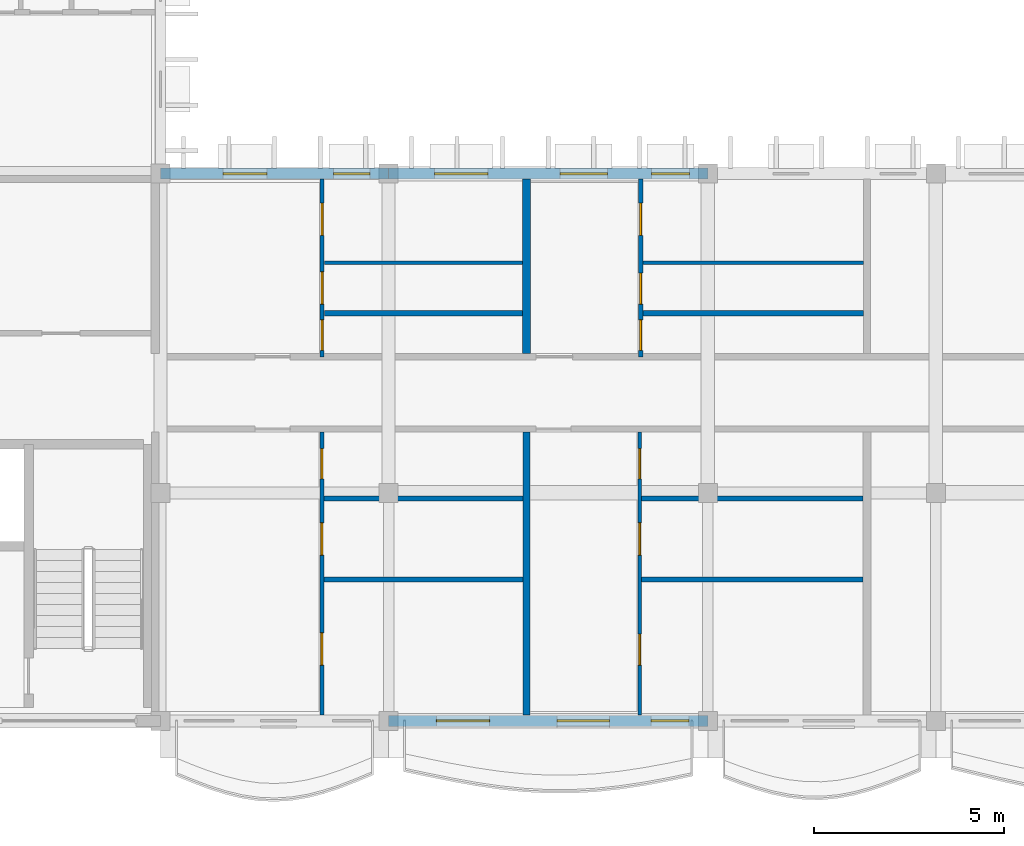
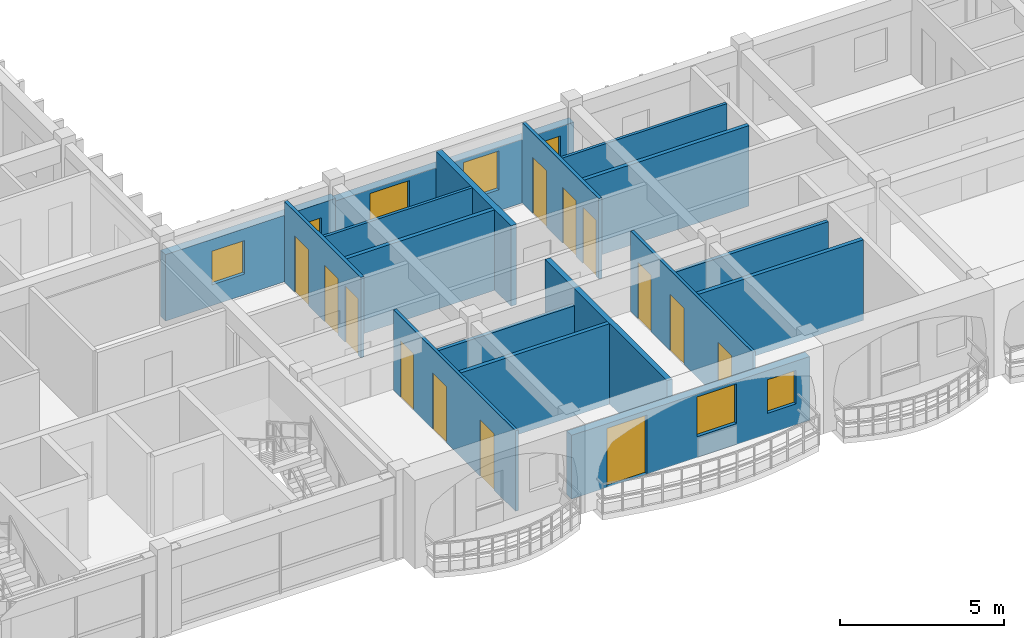
# One storey, part 14 of 66: 17 walls, 13 doors, 7 windows, 20 openings.
"""IFC4 building model written with IfcOpenShell, lengths in metres."""

from ifc_helpers import new_model, si_unit, direction, frame, frame_2d, origin, place, context, subcontext, project, spatial, rectangle, extrude, material, layer, layer_set, type_object, element, fill, save


model = new_model("IFC4")

# Units and contexts
model_context = context("Model", 3, precision=1e-05, world=origin(), true_north=direction((0.0, 1.0)))
body_context = subcontext(model_context, "Body", "Model", "MODEL_VIEW")
ifc_project = project(units=[si_unit("LENGTHUNIT", "METRE"), si_unit("AREAUNIT", "SQUARE_METRE"), si_unit("VOLUMEUNIT", "CUBIC_METRE"), si_unit("PLANEANGLEUNIT", "RADIAN"), si_unit("MASSUNIT", "GRAM", prefix="KILO"), si_unit("THERMODYNAMICTEMPERATUREUNIT", "KELVIN")], contexts=[model_context])

# Site, building, storey
site_placement = place(None, origin())
site = spatial("IfcSite", under=ifc_project, at=site_placement, CompositionType="ELEMENT")
building_placement = place(site_placement, origin())
building = spatial("IfcBuilding", under=site, at=building_placement, Name="Thalorik Housing Commons", CompositionType="ELEMENT")
storey_placement = place(building_placement, frame((0.0, 0.0, 21.300048828125)))
storey = spatial("IfcBuildingStorey", under=building, at=storey_placement, Name="L06", CompositionType="ELEMENT", Elevation=21.300048828125)

# Wall, openings, door, windows
ifc_material_1 = material(Name="White precast concrete C40/50", Category="concrete")
ifc_layer_1 = layer(ifc_material_1, 0.2900390625, Name="White precast concrete C40/50", Category="concrete")
ifc_layer_set_1 = layer_set([ifc_layer_1], Name="White precast concrete C40/50")
wall_type_1 = type_object("IfcWallType", Name="ARC-WAL-EXT-290", PredefinedType="STANDARD", material=ifc_layer_set_1)
wall_1_placement = place(storey_placement, frame((28.800048828125, 8.39990234375, 0.0), z_axis=(0.0, 0.0, 1.0), x_axis=(1.0, 0.0, 0.0)))
wall_1 = element("IfcWall", 1, at=wall_1_placement, inside=storey, type_object=wall_type_1, Name="L06 Exterior Wall WAL-EXT-L06-C-1006", PredefinedType="STANDARD", context=body_context, shape_type="SweptSolid", body=[
    extrude(rectangle(XDim=8.39990234375, YDim=0.2900390625, at=frame_2d((4.199951171875, 0.0))), origin(), (0.0, 0.0, 1.0), 2.375),
])
opening_1_placement = place(wall_1_placement, frame((1.260009765625, 0.0, 0.0)))
opening_1 = element("IfcOpeningElement", 2, at=opening_1_placement, cuts=wall_1, Name="Opening ED-0334", PredefinedType="OPENING", context=body_context, shape_type="SweptSolid", body=[
    extrude(rectangle(XDim=1.39990234375, YDim=2.199951171875, at=frame_2d((0.699951171875, 1.10009765625))), frame((0.0, 0.155029296875, 0.0), z_axis=(0.0, -1.0, 0.0), x_axis=(1.0, 0.0, 0.0)), (0.0, 0.0, 1.0), 0.31005859375),
])
opening_2_placement = place(wall_1_placement, frame((4.429931640625, 0.0, 0.780029296875)))
opening_2 = element("IfcOpeningElement", 3, at=opening_2_placement, cuts=wall_1, Name="Opening W-49", PredefinedType="OPENING", context=body_context, shape_type="SweptSolid", body=[
    extrude(rectangle(XDim=1.3798828125, YDim=1.47998046875, at=frame_2d((0.68994140625, 0.739990234375))), frame((0.0, 0.155029296875, 0.0), z_axis=(0.0, -1.0, 0.0), x_axis=(1.0, 0.0, 0.0)), (0.0, 0.0, 1.0), 0.31005859375),
])
opening_3_placement = place(wall_1_placement, frame((6.909912109375, 0.0, 0.780029296875)))
opening_3 = element("IfcOpeningElement", 4, at=opening_3_placement, cuts=wall_1, Name="Opening W-02", PredefinedType="OPENING", context=body_context, shape_type="SweptSolid", body=[
    extrude(rectangle(XDim=1.0, YDim=1.25, at=frame_2d((0.5, 0.625))), frame((0.0, 0.155029296875, 0.0), z_axis=(0.0, -1.0, 0.0), x_axis=(1.0, 0.0, 0.0)), (0.0, 0.0, 1.0), 0.31005859375),
])
ifc_material_2 = material(Name="Anodised aluminium and laminated safety glass", Category="aluminium")
door_type_1 = type_object("IfcDoorType", Name="ARC-DR-BAL-1400", OperationType="NOTDEFINED", PredefinedType="DOOR", material=ifc_material_2)
door_1_placement = place(opening_1_placement, frame((1.39990234375, 0.0, 0.0), z_axis=(0.0, 0.0, 1.0), x_axis=(-1.0, 0.0, 0.0)))
door_1 = element("IfcDoor", 5, at=door_1_placement, inside=storey, type_object=door_type_1, Name="L06 Block C Balcony Glazed Door", OperationType="SLIDING_TO_LEFT", OverallHeight=2.199951171875, OverallWidth=1.39990234375, PredefinedType="DOOR", context=body_context, shape_type="SweptSolid", body=[
    extrude(rectangle(XDim=1.39990234375, YDim=2.199951171875, at=frame_2d((0.699951171875, 1.10009765625))), frame((0.0, 0.02490234375, 0.0), z_axis=(0.0, -1.0, 0.0), x_axis=(1.0, 0.0, 0.0)), (0.0, 0.0, 1.0), 0.050048828125),
])
fill(opening_1, door_1)
ifc_material_3 = material(Name="Anodised aluminium and solar-control low-E glass", Category="aluminium")
window_type_1 = type_object("IfcWindowType", Name="ARC-WIN-02", PartitioningType="SINGLE_PANEL", PredefinedType="WINDOW", material=ifc_material_3)
window_1_placement = place(opening_3_placement, origin())
window_1 = element("IfcWindow", 6, at=window_1_placement, inside=storey, type_object=window_type_1, Name="L06 Facade Window 1858", OverallHeight=1.25, OverallWidth=1.0, PartitioningType="SINGLE_PANEL", PredefinedType="WINDOW", context=body_context, shape_type="SweptSolid", body=[
    extrude(rectangle(XDim=1.0, YDim=1.25, at=frame_2d((0.5, 0.625))), frame((0.0, 0.030029296875, 0.0), z_axis=(0.0, -1.0, 0.0), x_axis=(1.0, 0.0, 0.0)), (0.0, 0.0, 1.0), 0.06005859375),
])
fill(opening_3, window_1)
window_type_2 = type_object("IfcWindowType", Name="ARC-WIN-49", PartitioningType="SINGLE_PANEL", PredefinedType="WINDOW", material=ifc_material_3)
window_2_placement = place(opening_2_placement, origin())
window_2 = element("IfcWindow", 7, at=window_2_placement, inside=storey, type_object=window_type_2, Name="L06 Facade Window 1857", OverallHeight=1.47998046875, OverallWidth=1.3798828125, PartitioningType="SINGLE_PANEL", PredefinedType="WINDOW", context=body_context, shape_type="SweptSolid", body=[
    extrude(rectangle(XDim=1.3798828125, YDim=1.47998046875, at=frame_2d((0.68994140625, 0.739990234375))), frame((0.0, 0.030029296875, 0.0), z_axis=(0.0, -1.0, 0.0), x_axis=(1.0, 0.0, 0.0)), (0.0, 0.0, 1.0), 0.06005859375),
])
fill(opening_2, window_2)

# Wall, openings, windows
wall_2_placement = place(storey_placement, frame((37.199951171875, 22.800048828125, 0.0), z_axis=(0.0, 0.0, 1.0), x_axis=(-1.0, 0.0, 0.0)))
wall_2 = element("IfcWall", 8, at=wall_2_placement, inside=storey, type_object=wall_type_1, Name="L06 Exterior Wall WAL-EXT-L06-C-1015", PredefinedType="STANDARD", context=body_context, shape_type="SweptSolid", body=[
    extrude(rectangle(XDim=8.39990234375, YDim=0.2900390625, at=frame_2d((4.199951171875, 0.0))), origin(), (0.0, 0.0, 1.0), 2.375),
])
opening_4_placement = place(wall_2_placement, frame((0.4794921875, 0.0, 0.780029296875)))
opening_4 = element("IfcOpeningElement", 9, at=opening_4_placement, cuts=wall_2, Name="Opening W-02", PredefinedType="OPENING", context=body_context, shape_type="SweptSolid", body=[
    extrude(rectangle(XDim=1.0, YDim=1.25, at=frame_2d((0.5, 0.625))), frame((0.0, 0.155029296875, 0.0), z_axis=(0.0, -1.0, 0.0), x_axis=(1.0, 0.0, 0.0)), (0.0, 0.0, 1.0), 0.31005859375),
])
opening_5_placement = place(wall_2_placement, frame((2.64453125, 0.0, 0.780029296875)))
opening_5 = element("IfcOpeningElement", 10, at=opening_5_placement, cuts=wall_2, Name="Opening W-47", PredefinedType="OPENING", context=body_context, shape_type="SweptSolid", body=[
    extrude(rectangle(XDim=1.25, YDim=1.449951171875, at=frame_2d((0.625, 0.72509765625))), frame((0.0, 0.155029296875, 0.0), z_axis=(0.0, -1.0, 0.0), x_axis=(1.0, 0.0, 0.0)), (0.0, 0.0, 1.0), 0.31005859375),
])
opening_6_placement = place(wall_2_placement, frame((5.7900390625, 0.0, 0.780029296875)))
opening_6 = element("IfcOpeningElement", 11, at=opening_6_placement, cuts=wall_2, Name="Opening W-08", PredefinedType="OPENING", context=body_context, shape_type="SweptSolid", body=[
    extrude(rectangle(XDim=1.39990234375, YDim=1.449951171875, at=frame_2d((0.699951171875, 0.72509765625))), frame((0.0, 0.155029296875, 0.0), z_axis=(0.0, -1.0, 0.0), x_axis=(1.0, 0.0, 0.0)), (0.0, 0.0, 1.0), 0.31005859375),
])
window_3_placement = place(opening_4_placement, origin())
window_3 = element("IfcWindow", 12, at=window_3_placement, inside=storey, type_object=window_type_1, Name="L06 Facade Window 1876", OverallHeight=1.25, OverallWidth=1.0, PartitioningType="SINGLE_PANEL", PredefinedType="WINDOW", context=body_context, shape_type="SweptSolid", body=[
    extrude(rectangle(XDim=1.0, YDim=1.25, at=frame_2d((0.5, 0.625))), frame((0.0, 0.030029296875, 0.0), z_axis=(0.0, -1.0, 0.0), x_axis=(1.0, 0.0, 0.0)), (0.0, 0.0, 1.0), 0.06005859375),
])
fill(opening_4, window_3)
window_type_3 = type_object("IfcWindowType", Name="ARC-WIN-08", PartitioningType="SINGLE_PANEL", PredefinedType="WINDOW", material=ifc_material_3)
window_4_placement = place(opening_6_placement, origin())
window_4 = element("IfcWindow", 13, at=window_4_placement, inside=storey, type_object=window_type_3, Name="L06 Facade Window 1878", OverallHeight=1.449951171875, OverallWidth=1.39990234375, PartitioningType="SINGLE_PANEL", PredefinedType="WINDOW", context=body_context, shape_type="SweptSolid", body=[
    extrude(rectangle(XDim=1.39990234375, YDim=1.449951171875, at=frame_2d((0.699951171875, 0.72509765625))), frame((0.0, 0.030029296875, 0.0), z_axis=(0.0, -1.0, 0.0), x_axis=(1.0, 0.0, 0.0)), (0.0, 0.0, 1.0), 0.06005859375),
])
fill(opening_6, window_4)
window_type_4 = type_object("IfcWindowType", Name="ARC-WIN-47", PartitioningType="SINGLE_PANEL", PredefinedType="WINDOW", material=ifc_material_3)
window_5_placement = place(opening_5_placement, origin())
window_5 = element("IfcWindow", 14, at=window_5_placement, inside=storey, type_object=window_type_4, Name="L06 Facade Window 1877", OverallHeight=1.449951171875, OverallWidth=1.25, PartitioningType="SINGLE_PANEL", PredefinedType="WINDOW", context=body_context, shape_type="SweptSolid", body=[
    extrude(rectangle(XDim=1.25, YDim=1.449951171875, at=frame_2d((0.625, 0.72509765625))), frame((0.0, 0.030029296875, 0.0), z_axis=(0.0, -1.0, 0.0), x_axis=(1.0, 0.0, 0.0)), (0.0, 0.0, 1.0), 0.06005859375),
])
fill(opening_5, window_5)

wall_3_placement = place(storey_placement, frame((28.800048828125, 22.800048828125, 0.0), z_axis=(0.0, 0.0, 1.0), x_axis=(-1.0, 0.0, 0.0)))
wall_3 = element("IfcWall", 15, at=wall_3_placement, inside=storey, type_object=wall_type_1, Name="L06 Exterior Wall WAL-EXT-L06-C-1016", PredefinedType="STANDARD", context=body_context, shape_type="SweptSolid", body=[
    extrude(rectangle(XDim=6.0, YDim=0.2900390625, at=frame_2d((3.0, 0.0))), origin(), (0.0, 0.0, 1.0), 2.474853515625),
])
opening_7_placement = place(wall_3_placement, frame((0.4951171875, 0.0, 0.780029296875)))
opening_7 = element("IfcOpeningElement", 16, at=opening_7_placement, cuts=wall_3, Name="Opening W-43", PredefinedType="OPENING", context=body_context, shape_type="SweptSolid", body=[
    extrude(rectangle(XDim=0.949951171875, YDim=1.14990234375, at=frame_2d((0.47509765625, 0.574951171875))), frame((0.0, 0.155029296875, 0.0), z_axis=(0.0, -1.0, 0.0), x_axis=(1.0, 0.0, 0.0)), (0.0, 0.0, 1.0), 0.31005859375),
])
opening_8_placement = place(wall_3_placement, frame((3.205078125, 0.0, 0.780029296875)))
opening_8 = element("IfcOpeningElement", 17, at=opening_8_placement, cuts=wall_3, Name="Opening W-45", PredefinedType="OPENING", context=body_context, shape_type="SweptSolid", body=[
    extrude(rectangle(XDim=1.14990234375, YDim=1.25, at=frame_2d((0.574951171875, 0.625))), frame((0.0, 0.155029296875, 0.0), z_axis=(0.0, -1.0, 0.0), x_axis=(1.0, 0.0, 0.0)), (0.0, 0.0, 1.0), 0.31005859375),
])
window_type_5 = type_object("IfcWindowType", Name="ARC-WIN-43", PartitioningType="SINGLE_PANEL", PredefinedType="WINDOW", material=ifc_material_3)
window_6_placement = place(opening_7_placement, origin())
window_6 = element("IfcWindow", 18, at=window_6_placement, inside=storey, type_object=window_type_5, Name="L06 Facade Window 1879", OverallHeight=1.14990234375, OverallWidth=0.949951171875, PartitioningType="SINGLE_PANEL", PredefinedType="WINDOW", context=body_context, shape_type="SweptSolid", body=[
    extrude(rectangle(XDim=0.949951171875, YDim=1.14990234375, at=frame_2d((0.47509765625, 0.574951171875))), frame((0.0, 0.030029296875, 0.0), z_axis=(0.0, -1.0, 0.0), x_axis=(1.0, 0.0, 0.0)), (0.0, 0.0, 1.0), 0.06005859375),
])
fill(opening_7, window_6)
window_type_6 = type_object("IfcWindowType", Name="ARC-WIN-45", PartitioningType="SINGLE_PANEL", PredefinedType="WINDOW", material=ifc_material_3)
window_7_placement = place(opening_8_placement, origin())
window_7 = element("IfcWindow", 19, at=window_7_placement, inside=storey, type_object=window_type_6, Name="L06 Facade Window 1880", OverallHeight=1.25, OverallWidth=1.14990234375, PartitioningType="SINGLE_PANEL", PredefinedType="WINDOW", context=body_context, shape_type="SweptSolid", body=[
    extrude(rectangle(XDim=1.14990234375, YDim=1.25, at=frame_2d((0.574951171875, 0.625))), frame((0.0, 0.030029296875, 0.0), z_axis=(0.0, -1.0, 0.0), x_axis=(1.0, 0.0, 0.0)), (0.0, 0.0, 1.0), 0.06005859375),
])
fill(opening_8, window_7)

# Wall, openings, doors
ifc_material_4 = material(Name="Gypsum light stud partition", Category="masonry")
ifc_layer_2 = layer(ifc_material_4, 0.10009765625, Name="Gypsum light stud partition", Category="masonry")
ifc_layer_set_2 = layer_set([ifc_layer_2], Name="Gypsum light stud partition")
wall_type_2 = type_object("IfcWallType", Name="ARC-WAL-PART-100", PredefinedType="PARTITIONING", material=ifc_layer_set_2)
wall_4_placement = place(storey_placement, frame((27.044921875, 8.547119140625, 0.0), z_axis=(0.0, 0.0, 1.0), x_axis=(0.0, 1.0, 0.0)))
wall_4 = element("IfcWall", 20, at=wall_4_placement, inside=storey, type_object=wall_type_2, Name="L06 Unit 1 Spine Partition", PredefinedType="PARTITIONING", context=body_context, shape_type="SweptSolid", body=[
    extrude(rectangle(XDim=7.455810546875, YDim=0.10009765625, at=frame_2d((3.72802734375, 0.0))), origin(), (0.0, 0.0, 1.0), 3.0),
])
opening_9_placement = place(wall_4_placement, frame((1.31689453125, 0.0, 0.0)))
opening_9 = element("IfcOpeningElement", 21, at=opening_9_placement, cuts=wall_4, Name="Opening ID-1818", PredefinedType="OPENING", context=body_context, shape_type="SweptSolid", body=[
    extrude(rectangle(XDim=0.85009765625, YDim=2.10009765625, at=frame_2d((0.425048828125, 1.050048828125))), frame((0.0, 0.06005859375, 0.0), z_axis=(0.0, -1.0, 0.0), x_axis=(1.0, 0.0, 0.0)), (0.0, 0.0, 1.0), 0.1201171875),
])
opening_10_placement = place(wall_4_placement, frame((4.21240234375, 0.0, 0.0)))
opening_10 = element("IfcOpeningElement", 22, at=opening_10_placement, cuts=wall_4, Name="Opening ID-1819", PredefinedType="OPENING", context=body_context, shape_type="SweptSolid", body=[
    extrude(rectangle(XDim=0.85009765625, YDim=2.10009765625, at=frame_2d((0.425048828125, 1.050048828125))), frame((0.0, 0.06005859375, 0.0), z_axis=(0.0, -1.0, 0.0), x_axis=(1.0, 0.0, 0.0)), (0.0, 0.0, 1.0), 0.1201171875),
])
opening_11_placement = place(wall_4_placement, frame((6.218505859375, 0.0, 0.0)))
opening_11 = element("IfcOpeningElement", 23, at=opening_11_placement, cuts=wall_4, Name="Opening ID-1820", PredefinedType="OPENING", context=body_context, shape_type="SweptSolid", body=[
    extrude(rectangle(XDim=0.800048828125, YDim=2.10009765625, at=frame_2d((0.39990234375, 1.050048828125))), frame((0.0, 0.06005859375, 0.0), z_axis=(0.0, -1.0, 0.0), x_axis=(1.0, 0.0, 0.0)), (0.0, 0.0, 1.0), 0.1201171875),
])
ifc_material_5 = material(Name="Moisture-resistant timber", Category="wood")
door_type_2 = type_object("IfcDoorType", Name="ARC-DR-INT-800", OperationType="NOTDEFINED", PredefinedType="DOOR", material=ifc_material_5)
door_2_placement = place(opening_11_placement, origin())
door_2 = element("IfcDoor", 24, at=door_2_placement, inside=storey, type_object=door_type_2, Name="L06 Flat Bathroom Door", OperationType="SINGLE_SWING_LEFT", OverallHeight=2.10009765625, OverallWidth=0.800048828125, PredefinedType="DOOR", context=body_context, shape_type="SweptSolid", body=[
    extrude(rectangle(XDim=0.800048828125, YDim=2.10009765625, at=frame_2d((0.39990234375, 1.050048828125))), frame((0.0, 0.02490234375, 0.0), z_axis=(0.0, -1.0, 0.0), x_axis=(1.0, 0.0, 0.0)), (0.0, 0.0, 1.0), 0.050048828125),
])
fill(opening_11, door_2)
ifc_material_6 = material(Name="Engineered oak timber", Category="wood")
door_type_3 = type_object("IfcDoorType", Name="ARC-DR-INT-850", OperationType="NOTDEFINED", PredefinedType="DOOR", material=ifc_material_6)
door_3_placement = place(opening_9_placement, origin())
door_3 = element("IfcDoor", 25, at=door_3_placement, inside=storey, type_object=door_type_3, Name="L06 Double Bedroom Door", OperationType="SINGLE_SWING_LEFT", OverallHeight=2.10009765625, OverallWidth=0.85009765625, PredefinedType="DOOR", context=body_context, shape_type="SweptSolid", body=[
    extrude(rectangle(XDim=0.85009765625, YDim=2.10009765625, at=frame_2d((0.425048828125, 1.050048828125))), frame((0.0, 0.02490234375, 0.0), z_axis=(0.0, -1.0, 0.0), x_axis=(1.0, 0.0, 0.0)), (0.0, 0.0, 1.0), 0.050048828125),
])
fill(opening_9, door_3)
door_4_placement = place(opening_10_placement, origin())
door_4 = element("IfcDoor", 26, at=door_4_placement, inside=storey, type_object=door_type_3, Name="L06 Galley Kitchen Door", OperationType="SINGLE_SWING_RIGHT", OverallHeight=2.10009765625, OverallWidth=0.85009765625, PredefinedType="DOOR", context=body_context, shape_type="SweptSolid", body=[
    extrude(rectangle(XDim=0.85009765625, YDim=2.10009765625, at=frame_2d((0.425048828125, 1.050048828125))), frame((0.0, 0.02490234375, 0.0), z_axis=(0.0, -1.0, 0.0), x_axis=(1.0, 0.0, 0.0)), (0.0, 0.0, 1.0), 0.050048828125),
])
fill(opening_10, door_4)

# Wall
wall_5_placement = place(storey_placement, frame((27.109130859375, 20.455078125, 0.0), z_axis=(0.0, 0.0, 1.0), x_axis=(1.0, 0.0, 0.0)))
element("IfcWall", 27, at=wall_5_placement, inside=storey, type_object=wall_type_2, Name="L06 Unit 1B Bedroom Partition", PredefinedType="PARTITIONING", context=body_context, shape_type="SweptSolid", body=[
    extrude(rectangle(XDim=5.21875, YDim=0.10009765625, at=frame_2d((2.609375, 0.0))), origin(), (0.0, 0.0, 1.0), 3.0),
])

# Wall, openings, doors
wall_6_placement = place(storey_placement, frame((35.409912109375, 8.547119140625, 0.0), z_axis=(0.0, 0.0, 1.0), x_axis=(0.0, 1.0, 0.0)))
wall_6 = element("IfcWall", 28, at=wall_6_placement, inside=storey, type_object=wall_type_2, Name="L06 Unit 2 Spine Partition", PredefinedType="PARTITIONING", context=body_context, shape_type="SweptSolid", body=[
    extrude(rectangle(XDim=7.455810546875, YDim=0.10009765625, at=frame_2d((3.72802734375, 0.0))), origin(), (0.0, 0.0, 1.0), 3.0),
])
opening_12_placement = place(wall_6_placement, frame((1.31689453125, 0.0, 0.0)))
opening_12 = element("IfcOpeningElement", 29, at=opening_12_placement, cuts=wall_6, Name="Opening ID-1824", PredefinedType="OPENING", context=body_context, shape_type="SweptSolid", body=[
    extrude(rectangle(XDim=0.820068359375, YDim=2.080078125, at=frame_2d((0.41015625, 1.0400390625))), frame((0.0, 0.06005859375, 0.0), z_axis=(0.0, -1.0, 0.0), x_axis=(1.0, 0.0, 0.0)), (0.0, 0.0, 1.0), 0.1201171875),
])
opening_13_placement = place(wall_6_placement, frame((4.21240234375, 0.0, 0.0)))
opening_13 = element("IfcOpeningElement", 30, at=opening_13_placement, cuts=wall_6, Name="Opening ID-1825", PredefinedType="OPENING", context=body_context, shape_type="SweptSolid", body=[
    extrude(rectangle(XDim=0.85009765625, YDim=2.10009765625, at=frame_2d((0.425048828125, 1.050048828125))), frame((0.0, 0.06005859375, 0.0), z_axis=(0.0, -1.0, 0.0), x_axis=(1.0, 0.0, 0.0)), (0.0, 0.0, 1.0), 0.1201171875),
])
opening_14_placement = place(wall_6_placement, frame((6.218505859375, 0.0, 0.0)))
opening_14 = element("IfcOpeningElement", 31, at=opening_14_placement, cuts=wall_6, Name="Opening ID-1826", PredefinedType="OPENING", context=body_context, shape_type="SweptSolid", body=[
    extrude(rectangle(XDim=0.800048828125, YDim=2.10009765625, at=frame_2d((0.39990234375, 1.050048828125))), frame((0.0, 0.06005859375, 0.0), z_axis=(0.0, -1.0, 0.0), x_axis=(1.0, 0.0, 0.0)), (0.0, 0.0, 1.0), 0.1201171875),
])
door_5_placement = place(opening_14_placement, origin())
door_5 = element("IfcDoor", 32, at=door_5_placement, inside=storey, type_object=door_type_2, Name="L06 Accessible Bathroom Door", OperationType="SINGLE_SWING_LEFT", OverallHeight=2.10009765625, OverallWidth=0.800048828125, PredefinedType="DOOR", context=body_context, shape_type="SweptSolid", body=[
    extrude(rectangle(XDim=0.800048828125, YDim=2.10009765625, at=frame_2d((0.39990234375, 1.050048828125))), frame((0.0, 0.02490234375, 0.0), z_axis=(0.0, -1.0, 0.0), x_axis=(1.0, 0.0, 0.0)), (0.0, 0.0, 1.0), 0.050048828125),
])
fill(opening_14, door_5)
door_type_4 = type_object("IfcDoorType", Name="ARC-DR-INT-820", OperationType="NOTDEFINED", PredefinedType="DOOR", material=ifc_material_6)
door_6_placement = place(opening_12_placement, origin())
door_6 = element("IfcDoor", 33, at=door_6_placement, inside=storey, type_object=door_type_4, Name="L06 Single Bedroom Door", OperationType="SINGLE_SWING_LEFT", OverallHeight=2.080078125, OverallWidth=0.820068359375, PredefinedType="DOOR", context=body_context, shape_type="SweptSolid", body=[
    extrude(rectangle(XDim=0.820068359375, YDim=2.080078125, at=frame_2d((0.41015625, 1.0400390625))), frame((0.0, 0.02490234375, 0.0), z_axis=(0.0, -1.0, 0.0), x_axis=(1.0, 0.0, 0.0)), (0.0, 0.0, 1.0), 0.050048828125),
])
fill(opening_12, door_6)
door_7_placement = place(opening_13_placement, origin())
door_7 = element("IfcDoor", 34, at=door_7_placement, inside=storey, type_object=door_type_3, Name="L06 Eat-In Kitchen Door", OperationType="SINGLE_SWING_RIGHT", OverallHeight=2.10009765625, OverallWidth=0.85009765625, PredefinedType="DOOR", context=body_context, shape_type="SweptSolid", body=[
    extrude(rectangle(XDim=0.85009765625, YDim=2.10009765625, at=frame_2d((0.425048828125, 1.050048828125))), frame((0.0, 0.02490234375, 0.0), z_axis=(0.0, -1.0, 0.0), x_axis=(1.0, 0.0, 0.0)), (0.0, 0.0, 1.0), 0.050048828125),
])
fill(opening_13, door_7)

# Wall
wall_7_placement = place(storey_placement, frame((35.490234375, 20.455078125, 0.0), z_axis=(0.0, 0.0, 1.0), x_axis=(1.0, 0.0, 0.0)))
element("IfcWall", 35, at=wall_7_placement, inside=storey, type_object=wall_type_2, Name="L06 Unit 2B Bedroom Partition", PredefinedType="PARTITIONING", context=body_context, shape_type="SweptSolid", body=[
    extrude(rectangle(XDim=5.80517578125, YDim=0.10009765625, at=frame_2d((2.902587890625, 0.0))), origin(), (0.0, 0.0, 1.0), 3.0),
])

# Wall, openings, doors
ifc_material_7 = material(Name="Gypsum moisture-resistant partition", Category="masonry")
ifc_layer_3 = layer(ifc_material_7, 0.114990234375, Name="Gypsum moisture-resistant partition", Category="masonry")
ifc_layer_set_3 = layer_set([ifc_layer_3], Name="Gypsum moisture-resistant partition")
wall_type_3 = type_object("IfcWallType", Name="ARC-WAL-PART-115", PredefinedType="PARTITIONING", material=ifc_layer_set_3)
wall_8_placement = place(storey_placement, frame((27.049560546875, 17.97998046875, 0.0), z_axis=(0.0, 0.0, 1.0), x_axis=(0.0, 1.0, 0.0)))
wall_8 = element("IfcWall", 36, at=wall_8_placement, inside=storey, type_object=wall_type_3, Name="L06 Unit 1B Spine Partition", PredefinedType="PARTITIONING", context=body_context, shape_type="SweptSolid", body=[
    extrude(rectangle(XDim=4.673095703125, YDim=0.114990234375, at=frame_2d((2.33642578125, 0.0))), origin(), (0.0, 0.0, 1.0), 3.0),
])
opening_15_placement = place(wall_8_placement, frame((0.171142578125, 0.0, 0.0)))
opening_15 = element("IfcOpeningElement", 37, at=opening_15_placement, cuts=wall_8, Name="Opening ID-1821", PredefinedType="OPENING", context=body_context, shape_type="SweptSolid", body=[
    extrude(rectangle(XDim=0.800048828125, YDim=2.10009765625, at=frame_2d((0.39990234375, 1.050048828125))), frame((0.0, 0.0673828125, 0.0), z_axis=(0.0, -1.0, 0.0), x_axis=(1.0, 0.0, 0.0)), (0.0, 0.0, 1.0), 0.135009765625),
])
opening_16_placement = place(wall_8_placement, frame((1.3837890625, 0.0, 0.0)))
opening_16 = element("IfcOpeningElement", 38, at=opening_16_placement, cuts=wall_8, Name="Opening ID-1822", PredefinedType="OPENING", context=body_context, shape_type="SweptSolid", body=[
    extrude(rectangle(XDim=0.85009765625, YDim=2.10009765625, at=frame_2d((0.425048828125, 1.050048828125))), frame((0.0, 0.0673828125, 0.0), z_axis=(0.0, -1.0, 0.0), x_axis=(1.0, 0.0, 0.0)), (0.0, 0.0, 1.0), 0.135009765625),
])
opening_17_placement = place(wall_8_placement, frame((3.192626953125, 0.0, 0.0)))
opening_17 = element("IfcOpeningElement", 39, at=opening_17_placement, cuts=wall_8, Name="Opening ID-1823", PredefinedType="OPENING", context=body_context, shape_type="SweptSolid", body=[
    extrude(rectangle(XDim=0.85009765625, YDim=2.10009765625, at=frame_2d((0.425048828125, 1.050048828125))), frame((0.0, 0.0673828125, 0.0), z_axis=(0.0, -1.0, 0.0), x_axis=(1.0, 0.0, 0.0)), (0.0, 0.0, 1.0), 0.135009765625),
])
door_8_placement = place(opening_15_placement, origin())
door_8 = element("IfcDoor", 40, at=door_8_placement, inside=storey, type_object=door_type_2, Name="L06 Flat Bathroom Door", OperationType="SINGLE_SWING_RIGHT", OverallHeight=2.10009765625, OverallWidth=0.800048828125, PredefinedType="DOOR", context=body_context, shape_type="SweptSolid", body=[
    extrude(rectangle(XDim=0.800048828125, YDim=2.10009765625, at=frame_2d((0.39990234375, 1.050048828125))), frame((0.0, 0.02490234375, 0.0), z_axis=(0.0, -1.0, 0.0), x_axis=(1.0, 0.0, 0.0)), (0.0, 0.0, 1.0), 0.050048828125),
])
fill(opening_15, door_8)
door_9_placement = place(opening_16_placement, origin())
door_9 = element("IfcDoor", 41, at=door_9_placement, inside=storey, type_object=door_type_3, Name="L06 Galley Kitchen Door", OperationType="SINGLE_SWING_LEFT", OverallHeight=2.10009765625, OverallWidth=0.85009765625, PredefinedType="DOOR", context=body_context, shape_type="SweptSolid", body=[
    extrude(rectangle(XDim=0.85009765625, YDim=2.10009765625, at=frame_2d((0.425048828125, 1.050048828125))), frame((0.0, 0.02490234375, 0.0), z_axis=(0.0, -1.0, 0.0), x_axis=(1.0, 0.0, 0.0)), (0.0, 0.0, 1.0), 0.050048828125),
])
fill(opening_16, door_9)
door_10_placement = place(opening_17_placement, origin())
door_10 = element("IfcDoor", 42, at=door_10_placement, inside=storey, type_object=door_type_3, Name="L06 Single Bedroom Door", OperationType="SINGLE_SWING_RIGHT", OverallHeight=2.10009765625, OverallWidth=0.85009765625, PredefinedType="DOOR", context=body_context, shape_type="SweptSolid", body=[
    extrude(rectangle(XDim=0.85009765625, YDim=2.10009765625, at=frame_2d((0.425048828125, 1.050048828125))), frame((0.0, 0.02490234375, 0.0), z_axis=(0.0, -1.0, 0.0), x_axis=(1.0, 0.0, 0.0)), (0.0, 0.0, 1.0), 0.050048828125),
])
fill(opening_17, door_10)

wall_9_placement = place(storey_placement, frame((35.430908203125, 17.97998046875, 0.0), z_axis=(0.0, 0.0, 1.0), x_axis=(0.0, 1.0, 0.0)))
wall_9 = element("IfcWall", 43, at=wall_9_placement, inside=storey, type_object=wall_type_3, Name="L06 Unit 2B Spine Partition", PredefinedType="PARTITIONING", context=body_context, shape_type="SweptSolid", body=[
    extrude(rectangle(XDim=4.673095703125, YDim=0.114990234375, at=frame_2d((2.33642578125, 0.0))), origin(), (0.0, 0.0, 1.0), 3.0),
])
opening_18_placement = place(wall_9_placement, frame((0.171142578125, 0.0, 0.0)))
opening_18 = element("IfcOpeningElement", 44, at=opening_18_placement, cuts=wall_9, Name="Opening ID-1827", PredefinedType="OPENING", context=body_context, shape_type="SweptSolid", body=[
    extrude(rectangle(XDim=0.800048828125, YDim=2.10009765625, at=frame_2d((0.39990234375, 1.050048828125))), frame((0.0, 0.0673828125, 0.0), z_axis=(0.0, -1.0, 0.0), x_axis=(1.0, 0.0, 0.0)), (0.0, 0.0, 1.0), 0.135009765625),
])
opening_19_placement = place(wall_9_placement, frame((1.3837890625, 0.0, 0.0)))
opening_19 = element("IfcOpeningElement", 45, at=opening_19_placement, cuts=wall_9, Name="Opening ID-1828", PredefinedType="OPENING", context=body_context, shape_type="SweptSolid", body=[
    extrude(rectangle(XDim=0.820068359375, YDim=2.080078125, at=frame_2d((0.41015625, 1.0400390625))), frame((0.0, 0.0673828125, 0.0), z_axis=(0.0, -1.0, 0.0), x_axis=(1.0, 0.0, 0.0)), (0.0, 0.0, 1.0), 0.135009765625),
])
opening_20_placement = place(wall_9_placement, frame((3.192626953125, 0.0, 0.0)))
opening_20 = element("IfcOpeningElement", 46, at=opening_20_placement, cuts=wall_9, Name="Opening ID-1829", PredefinedType="OPENING", context=body_context, shape_type="SweptSolid", body=[
    extrude(rectangle(XDim=0.85009765625, YDim=2.10009765625, at=frame_2d((0.425048828125, 1.050048828125))), frame((0.0, 0.0673828125, 0.0), z_axis=(0.0, -1.0, 0.0), x_axis=(1.0, 0.0, 0.0)), (0.0, 0.0, 1.0), 0.135009765625),
])
door_11_placement = place(opening_18_placement, origin())
door_11 = element("IfcDoor", 47, at=door_11_placement, inside=storey, type_object=door_type_2, Name="L06 Flat Bathroom Door", OperationType="SINGLE_SWING_RIGHT", OverallHeight=2.10009765625, OverallWidth=0.800048828125, PredefinedType="DOOR", context=body_context, shape_type="SweptSolid", body=[
    extrude(rectangle(XDim=0.800048828125, YDim=2.10009765625, at=frame_2d((0.39990234375, 1.050048828125))), frame((0.0, 0.02490234375, 0.0), z_axis=(0.0, -1.0, 0.0), x_axis=(1.0, 0.0, 0.0)), (0.0, 0.0, 1.0), 0.050048828125),
])
fill(opening_18, door_11)
door_12_placement = place(opening_19_placement, origin())
door_12 = element("IfcDoor", 48, at=door_12_placement, inside=storey, type_object=door_type_4, Name="L06 Eat-In Kitchen Door", OperationType="SINGLE_SWING_LEFT", OverallHeight=2.080078125, OverallWidth=0.820068359375, PredefinedType="DOOR", context=body_context, shape_type="SweptSolid", body=[
    extrude(rectangle(XDim=0.820068359375, YDim=2.080078125, at=frame_2d((0.41015625, 1.0400390625))), frame((0.0, 0.02490234375, 0.0), z_axis=(0.0, -1.0, 0.0), x_axis=(1.0, 0.0, 0.0)), (0.0, 0.0, 1.0), 0.050048828125),
])
fill(opening_19, door_12)
door_13_placement = place(opening_20_placement, origin())
door_13 = element("IfcDoor", 49, at=door_13_placement, inside=storey, type_object=door_type_3, Name="L06 Master Bedroom Door", OperationType="SINGLE_SWING_RIGHT", OverallHeight=2.10009765625, OverallWidth=0.85009765625, PredefinedType="DOOR", context=body_context, shape_type="SweptSolid", body=[
    extrude(rectangle(XDim=0.85009765625, YDim=2.10009765625, at=frame_2d((0.425048828125, 1.050048828125))), frame((0.0, 0.02490234375, 0.0), z_axis=(0.0, -1.0, 0.0), x_axis=(1.0, 0.0, 0.0)), (0.0, 0.0, 1.0), 0.050048828125),
])
fill(opening_20, door_13)

# Walls
ifc_material_8 = material(Name="Gypsum acoustic stud partition", Category="masonry")
ifc_layer_4 = layer(ifc_material_8, 0.125, Name="Gypsum acoustic stud partition", Category="masonry")
ifc_layer_set_4 = layer_set([ifc_layer_4], Name="Gypsum acoustic stud partition")
wall_type_4 = type_object("IfcWallType", Name="ARC-WAL-PART-125", PredefinedType="PARTITIONING", material=ifc_layer_set_4)
wall_10_placement = place(storey_placement, frame((27.096923828125, 14.251220703125, 0.0), z_axis=(0.0, 0.0, 1.0), x_axis=(1.0, 0.0, 0.0)))
element("IfcWall", 50, at=wall_10_placement, inside=storey, type_object=wall_type_4, Name="L06 Unit 1 Wet Wall", PredefinedType="PARTITIONING", context=body_context, shape_type="SweptSolid", body=[
    extrude(rectangle(XDim=5.238525390625, YDim=0.125, at=frame_2d((2.619140625, 0.0))), origin(), (0.0, 0.0, 1.0), 2.375),
])
wall_11_placement = place(storey_placement, frame((35.4619140625, 14.251220703125, 0.0), z_axis=(0.0, 0.0, 1.0), x_axis=(1.0, 0.0, 0.0)))
element("IfcWall", 51, at=wall_11_placement, inside=storey, type_object=wall_type_4, Name="L06 Unit 2 Wet Wall", PredefinedType="PARTITIONING", context=body_context, shape_type="SweptSolid", body=[
    extrude(rectangle(XDim=5.816162109375, YDim=0.125, at=frame_2d((2.908203125, 0.0))), origin(), (0.0, 0.0, 1.0), 2.375),
])
ifc_material_9 = material(Name="Ceramic masonry partition wall", Category="masonry")
ifc_layer_5 = layer(ifc_material_9, 0.139892578125, Name="Ceramic masonry partition wall", Category="masonry")
ifc_layer_set_5 = layer_set([ifc_layer_5], Name="Ceramic masonry partition wall")
wall_type_5 = type_object("IfcWallType", Name="ARC-WAL-PART-140", PredefinedType="PARTITIONING", material=ifc_layer_set_5)
wall_12_placement = place(storey_placement, frame((27.096923828125, 12.11767578125, 0.0), z_axis=(0.0, 0.0, 1.0), x_axis=(1.0, 0.0, 0.0)))
element("IfcWall", 52, at=wall_12_placement, inside=storey, type_object=wall_type_5, Name="L06 Unit 1 Bedroom Partition", PredefinedType="PARTITIONING", context=body_context, shape_type="SweptSolid", body=[
    extrude(rectangle(XDim=5.238525390625, YDim=0.139892578125, at=frame_2d((2.619140625, 0.0))), origin(), (0.0, 0.0, 1.0), 3.0),
])
wall_13_placement = place(storey_placement, frame((27.109130859375, 19.122314453125, 0.0), z_axis=(0.0, 0.0, 1.0), x_axis=(1.0, 0.0, 0.0)))
element("IfcWall", 53, at=wall_13_placement, inside=storey, type_object=wall_type_5, Name="L06 Unit 1B Wet Wall", PredefinedType="PARTITIONING", context=body_context, shape_type="SweptSolid", body=[
    extrude(rectangle(XDim=5.21875, YDim=0.139892578125, at=frame_2d((2.609375, 0.0))), origin(), (0.0, 0.0, 1.0), 3.0),
])
wall_14_placement = place(storey_placement, frame((35.4619140625, 12.11767578125, 0.0), z_axis=(0.0, 0.0, 1.0), x_axis=(1.0, 0.0, 0.0)))
element("IfcWall", 54, at=wall_14_placement, inside=storey, type_object=wall_type_5, Name="L06 Unit 2 Bedroom Partition", PredefinedType="PARTITIONING", context=body_context, shape_type="SweptSolid", body=[
    extrude(rectangle(XDim=5.816162109375, YDim=0.139892578125, at=frame_2d((2.908203125, 0.0))), origin(), (0.0, 0.0, 1.0), 3.0),
])
wall_15_placement = place(storey_placement, frame((35.490234375, 19.122314453125, 0.0), z_axis=(0.0, 0.0, 1.0), x_axis=(1.0, 0.0, 0.0)))
element("IfcWall", 55, at=wall_15_placement, inside=storey, type_object=wall_type_5, Name="L06 Unit 2B Wet Wall", PredefinedType="PARTITIONING", context=body_context, shape_type="SweptSolid", body=[
    extrude(rectangle(XDim=5.80517578125, YDim=0.139892578125, at=frame_2d((2.902587890625, 0.0))), origin(), (0.0, 0.0, 1.0), 3.0),
])
ifc_material_10 = material(Name="Masonry acoustic blockwork wall", Category="masonry")
ifc_layer_6 = layer(ifc_material_10, 0.18505859375, Name="Masonry acoustic blockwork wall", Category="masonry")
ifc_layer_set_6 = layer_set([ifc_layer_6], Name="Masonry acoustic blockwork wall")
wall_type_6 = type_object("IfcWallType", Name="ARC-WAL-PARTY-185", PredefinedType="PARTITIONING", material=ifc_layer_set_6)
wall_16_placement = place(storey_placement, frame((32.429931640625, 8.547119140625, 0.0), z_axis=(0.0, 0.0, 1.0), x_axis=(0.0, 1.0, 0.0)))
element("IfcWall", 56, at=wall_16_placement, inside=storey, type_object=wall_type_6, Name="L06 Inter-Tenancy Wall 1A", PredefinedType="PARTITIONING", context=body_context, shape_type="SweptSolid", body=[
    extrude(rectangle(XDim=7.455810546875, YDim=0.18505859375, at=frame_2d((3.72802734375, 0.0))), origin(), (0.0, 0.0, 1.0), 3.0),
])
ifc_material_11 = material(Name="Precast concrete C40/50 acoustic wall", Category="concrete")
ifc_layer_7 = layer(ifc_material_11, 0.199951171875, Name="Precast concrete C40/50 acoustic wall", Category="concrete")
ifc_layer_set_7 = layer_set([ifc_layer_7], Name="Precast concrete C40/50 acoustic wall")
wall_type_7 = type_object("IfcWallType", Name="ARC-WAL-PARTY-200", PredefinedType="PARTITIONING", material=ifc_layer_set_7)
wall_17_placement = place(storey_placement, frame((32.429931640625, 18.064453125, 0.0), z_axis=(0.0, 0.0, 1.0), x_axis=(0.0, 1.0, 0.0)))
element("IfcWall", 57, at=wall_17_placement, inside=storey, type_object=wall_type_7, Name="L06 Inter-Tenancy Wall 1B", PredefinedType="PARTITIONING", context=body_context, shape_type="SweptSolid", body=[
    extrude(rectangle(XDim=4.588623046875, YDim=0.199951171875, at=frame_2d((2.29443359375, 0.0))), origin(), (0.0, 0.0, 1.0), 3.0),
])

save(model, "model.ifc")
